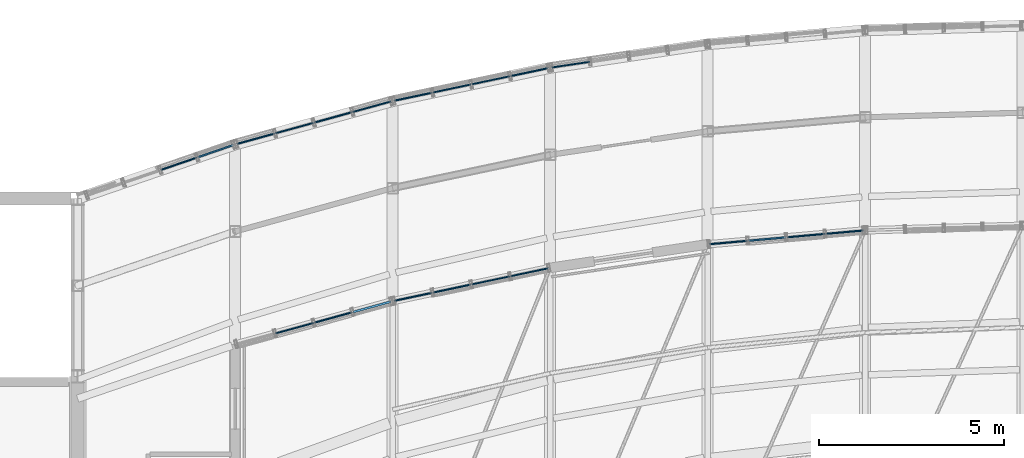
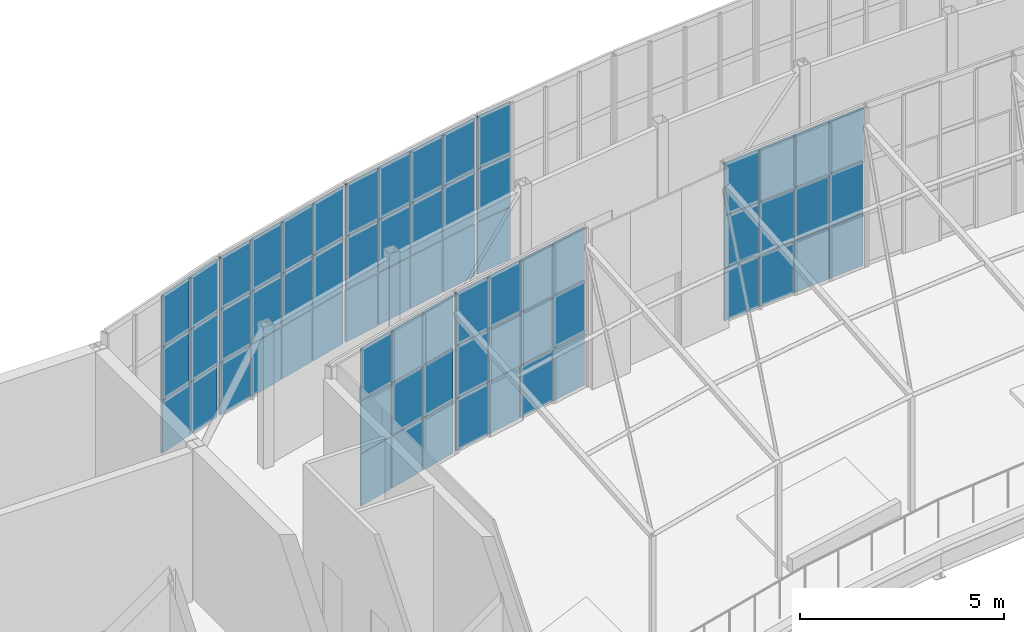
# One storey, part 26 of 35: 66 plates, 7 elements without a shape of their own.
"""IFC4 building model written with IfcOpenShell, lengths in metres."""

from ifc_helpers import new_model, si_unit, direction, frame, origin, origin_2d, place, context, subcontext, project, spatial, rectangle, extrude, material, layer, layer_set, type_object, element, aggregate, save


model = new_model("IFC4")

# Units and contexts
model_context = context("Model", 3, precision=1e-05, world=origin(), true_north=direction((0.0, 1.0)))
body_context = subcontext(model_context, "Body", "Model", "MODEL_VIEW")
ifc_project = project(units=[si_unit("LENGTHUNIT", "METRE"), si_unit("AREAUNIT", "SQUARE_METRE"), si_unit("VOLUMEUNIT", "CUBIC_METRE"), si_unit("PLANEANGLEUNIT", "RADIAN"), si_unit("MASSUNIT", "GRAM", prefix="KILO")], contexts=[model_context])

# Site, building, storey
site_placement = place(None, origin())
site = spatial("IfcSite", under=ifc_project, at=site_placement, CompositionType="ELEMENT")
building_placement = place(site_placement, origin())
building = spatial("IfcBuilding", under=site, at=building_placement, Name="Solvikara Media Centre", CompositionType="ELEMENT")
storey_placement = place(building_placement, frame((0.0, 0.0, 29.39990234375)))
storey = spatial("IfcBuildingStorey", under=building, at=storey_placement, Name="L06", CompositionType="ELEMENT", Elevation=29.39990234375)

# Curtain wall, plates
ifc_material_1 = material(Name="Anodised aluminium EN AW-6063", Category="aluminium")
curtain_wall_type = type_object("IfcCurtainWallType", Name="CW-13", PredefinedType="NOTDEFINED", material=ifc_material_1)
curtain_wall_1_placement = place(storey_placement, origin())
curtain_wall_1 = element("IfcCurtainWall", 1, at=curtain_wall_1_placement, inside=storey, type_object=curtain_wall_type, Name="CW-L06-NARC-00", PredefinedType="NOTDEFINED")
ifc_material_2 = material(Name="Laminated solar-control cyan vision glass", Category="glass")
ifc_layer_1 = layer(ifc_material_2, 0.035888671875)
ifc_layer_set_1 = layer_set([ifc_layer_1], Name="Laminated solar-control cyan vision glass")
plate_type_1 = type_object("IfcPlateType", Name="PN-04", PredefinedType="CURTAIN_PANEL", material=ifc_layer_set_1)
plate_1_placement = place(storey_placement, frame((79.22900390625, 37.737060546875, 1.62158203125), z_axis=(0.0, 0.0, 1.0), x_axis=(0.945711605144, 0.32500701515, 0.0)))
plate_1 = element("IfcPlate", 2, at=plate_1_placement, type_object=plate_type_1, Name="CW-L06-NARC-00-P0201", PredefinedType="CURTAIN_PANEL", context=body_context, shape_type="SweptSolid", body=[
    extrude(rectangle(XDim=1.01904296875, YDim=0.035888671875, at=origin_2d()), origin(), (0.0, 0.0, 1.0), 1.556884765625),
])
plate_2_placement = place(storey_placement, frame((79.22900390625, 37.737060546875, 3.20849609375), z_axis=(0.0, 0.0, 1.0), x_axis=(0.945711605144, 0.32500701515, 0.0)))
plate_2 = element("IfcPlate", 3, at=plate_2_placement, type_object=plate_type_1, Name="CW-L06-NARC-00-P0202", PredefinedType="CURTAIN_PANEL", context=body_context, shape_type="SweptSolid", body=[
    extrude(rectangle(XDim=1.01904296875, YDim=0.035888671875, at=origin_2d()), origin(), (0.0, 0.0, 1.0), 1.556884765625),
])
plate_3_placement = place(storey_placement, frame((80.220947265625, 38.077880859375, 0.03466796875), z_axis=(0.0, 0.0, 1.0), x_axis=(0.945711605144, 0.32500701515, 0.0)))
plate_3 = element("IfcPlate", 4, at=plate_3_placement, type_object=plate_type_1, Name="CW-L06-NARC-00-P0300", PredefinedType="CURTAIN_PANEL", context=body_context, shape_type="SweptSolid", body=[
    extrude(rectangle(XDim=1.01904296875, YDim=0.035888671875, at=origin_2d()), origin(), (0.0, 0.0, 1.0), 1.556884765625),
])

curtain_wall_2_placement = place(storey_placement, origin())
curtain_wall_2 = element("IfcCurtainWall", 5, at=curtain_wall_2_placement, inside=storey, type_object=curtain_wall_type, Name="CW-L06-NARC-01", PredefinedType="NOTDEFINED")
plate_4_placement = place(storey_placement, frame((81.306884765625, 38.4130859375, 1.62158203125), z_axis=(0.0, 0.0, 1.0), x_axis=(0.964030487854, 0.265791682504, 0.0)))
plate_4 = element("IfcPlate", 6, at=plate_4_placement, type_object=plate_type_1, Name="CW-L06-NARC-01-P0001", PredefinedType="CURTAIN_PANEL", context=body_context, shape_type="SweptSolid", body=[
    extrude(rectangle(XDim=1.054931640625, YDim=0.035888671875, at=origin_2d()), origin(), (0.0, 0.0, 1.0), 1.556884765625),
])
plate_5_placement = place(storey_placement, frame((81.306884765625, 38.4130859375, 3.20849609375), z_axis=(0.0, 0.0, 1.0), x_axis=(0.964030487854, 0.265791682504, 0.0)))
plate_5 = element("IfcPlate", 7, at=plate_5_placement, type_object=plate_type_1, Name="CW-L06-NARC-01-P0002", PredefinedType="CURTAIN_PANEL", context=body_context, shape_type="SweptSolid", body=[
    extrude(rectangle(XDim=1.054931640625, YDim=0.035888671875, at=origin_2d()), origin(), (0.0, 0.0, 1.0), 1.556884765625),
])
plate_6_placement = place(storey_placement, frame((82.35205078125, 38.700927734375, 0.03466796875), z_axis=(0.0, 0.0, 1.0), x_axis=(0.964030487854, 0.265791682504, 0.0)))
plate_6 = element("IfcPlate", 8, at=plate_6_placement, type_object=plate_type_1, Name="CW-L06-NARC-01-P0100", PredefinedType="CURTAIN_PANEL", context=body_context, shape_type="SweptSolid", body=[
    extrude(rectangle(XDim=1.054931640625, YDim=0.035888671875, at=origin_2d()), origin(), (0.0, 0.0, 1.0), 1.556884765625),
])
plate_7_placement = place(storey_placement, frame((82.35205078125, 38.700927734375, 1.62158203125), z_axis=(0.0, 0.0, 1.0), x_axis=(0.964030487854, 0.265791682504, 0.0)))
plate_7 = element("IfcPlate", 9, at=plate_7_placement, type_object=plate_type_1, Name="CW-L06-NARC-01-P0101", PredefinedType="CURTAIN_PANEL", context=body_context, shape_type="SweptSolid", body=[
    extrude(rectangle(XDim=1.054931640625, YDim=0.035888671875, at=origin_2d()), origin(), (0.0, 0.0, 1.0), 1.556884765625),
])
plate_8_placement = place(storey_placement, frame((82.35205078125, 38.700927734375, 3.20849609375), z_axis=(0.0, 0.0, 1.0), x_axis=(0.964030487854, 0.265791682504, 0.0)))
plate_8 = element("IfcPlate", 10, at=plate_8_placement, type_object=plate_type_1, Name="CW-L06-NARC-01-P0102", PredefinedType="CURTAIN_PANEL", context=body_context, shape_type="SweptSolid", body=[
    extrude(rectangle(XDim=1.054931640625, YDim=0.035888671875, at=origin_2d()), origin(), (0.0, 0.0, 1.0), 1.556884765625),
])
plate_9_placement = place(storey_placement, frame((83.39697265625, 38.989990234375, 0.03466796875), z_axis=(0.0, 0.0, 1.0), x_axis=(0.964030487854, 0.265791682504, 0.0)))
plate_9 = element("IfcPlate", 11, at=plate_9_placement, type_object=plate_type_1, Name="CW-L06-NARC-01-P0200", PredefinedType="CURTAIN_PANEL", context=body_context, shape_type="SweptSolid", body=[
    extrude(rectangle(XDim=1.054931640625, YDim=0.035888671875, at=origin_2d()), origin(), (0.0, 0.0, 1.0), 1.556884765625),
])
plate_10_placement = place(storey_placement, frame((83.39697265625, 38.989990234375, 1.62158203125), z_axis=(0.0, 0.0, 1.0), x_axis=(0.964030487854, 0.265791682504, 0.0)))
plate_10 = element("IfcPlate", 12, at=plate_10_placement, type_object=plate_type_1, Name="CW-L06-NARC-01-P0201", PredefinedType="CURTAIN_PANEL", context=body_context, shape_type="SweptSolid", body=[
    extrude(rectangle(XDim=1.054931640625, YDim=0.035888671875, at=origin_2d()), origin(), (0.0, 0.0, 1.0), 1.556884765625),
])
plate_11_placement = place(storey_placement, frame((84.443115234375, 39.278076171875, 0.03466796875), z_axis=(0.0, 0.0, 1.0), x_axis=(0.964030487854, 0.265791682504, 0.0)))
plate_11 = element("IfcPlate", 13, at=plate_11_placement, type_object=plate_type_1, Name="CW-L06-NARC-01-P0300", PredefinedType="CURTAIN_PANEL", context=body_context, shape_type="SweptSolid", body=[
    extrude(rectangle(XDim=1.054931640625, YDim=0.035888671875, at=origin_2d()), origin(), (0.0, 0.0, 1.0), 1.556884765625),
])
plate_12_placement = place(storey_placement, frame((84.443115234375, 39.278076171875, 1.62158203125), z_axis=(0.0, 0.0, 1.0), x_axis=(0.964030487854, 0.265791682504, 0.0)))
plate_12 = element("IfcPlate", 14, at=plate_12_placement, type_object=plate_type_1, Name="CW-L06-NARC-01-P0301", PredefinedType="CURTAIN_PANEL", context=body_context, shape_type="SweptSolid", body=[
    extrude(rectangle(XDim=1.054931640625, YDim=0.035888671875, at=origin_2d()), origin(), (0.0, 0.0, 1.0), 1.556884765625),
])
plate_13_placement = place(storey_placement, frame((84.443115234375, 39.278076171875, 3.20849609375), z_axis=(0.0, 0.0, 1.0), x_axis=(0.964030487854, 0.265791682504, 0.0)))
plate_13 = element("IfcPlate", 15, at=plate_13_placement, type_object=plate_type_1, Name="CW-L06-NARC-01-P0302", PredefinedType="CURTAIN_PANEL", context=body_context, shape_type="SweptSolid", body=[
    extrude(rectangle(XDim=1.054931640625, YDim=0.035888671875, at=origin_2d()), origin(), (0.0, 0.0, 1.0), 1.556884765625),
])

curtain_wall_3_placement = place(storey_placement, origin())
curtain_wall_3 = element("IfcCurtainWall", 16, at=curtain_wall_3_placement, inside=storey, type_object=curtain_wall_type, Name="CW-L06-NARC-02", PredefinedType="NOTDEFINED")
plate_14_placement = place(storey_placement, frame((85.555908203125, 39.548095703125, 1.62158203125), z_axis=(0.0, 0.0, 1.0), x_axis=(0.97837923005, 0.206818959981, 0.0)))
plate_14 = element("IfcPlate", 17, at=plate_14_placement, type_object=plate_type_1, Name="CW-L06-NARC-02-P0001", PredefinedType="CURTAIN_PANEL", context=body_context, shape_type="SweptSolid", body=[
    extrude(rectangle(XDim=1.0390625, YDim=0.035888671875, at=origin_2d()), origin(), (0.0, 0.0, 1.0), 1.556884765625),
])
plate_15_placement = place(storey_placement, frame((85.555908203125, 39.548095703125, 3.20849609375), z_axis=(0.0, 0.0, 1.0), x_axis=(0.97837923005, 0.206818959981, 0.0)))
plate_15 = element("IfcPlate", 18, at=plate_15_placement, type_object=plate_type_1, Name="CW-L06-NARC-02-P0002", PredefinedType="CURTAIN_PANEL", context=body_context, shape_type="SweptSolid", body=[
    extrude(rectangle(XDim=1.0390625, YDim=0.035888671875, at=origin_2d()), origin(), (0.0, 0.0, 1.0), 1.556884765625),
])
plate_16_placement = place(storey_placement, frame((86.60205078125, 39.77001953125, 0.03466796875), z_axis=(0.0, 0.0, 1.0), x_axis=(0.97837923005, 0.206818959981, 0.0)))
plate_16 = element("IfcPlate", 19, at=plate_16_placement, type_object=plate_type_1, Name="CW-L06-NARC-02-P0100", PredefinedType="CURTAIN_PANEL", context=body_context, shape_type="SweptSolid", body=[
    extrude(rectangle(XDim=1.0390625, YDim=0.035888671875, at=origin_2d()), origin(), (0.0, 0.0, 1.0), 1.556884765625),
])
plate_17_placement = place(storey_placement, frame((86.60205078125, 39.77001953125, 1.62158203125), z_axis=(0.0, 0.0, 1.0), x_axis=(0.97837923005, 0.206818959981, 0.0)))
plate_17 = element("IfcPlate", 20, at=plate_17_placement, type_object=plate_type_1, Name="CW-L06-NARC-02-P0101", PredefinedType="CURTAIN_PANEL", context=body_context, shape_type="SweptSolid", body=[
    extrude(rectangle(XDim=1.0390625, YDim=0.035888671875, at=origin_2d()), origin(), (0.0, 0.0, 1.0), 1.556884765625),
])
plate_18_placement = place(storey_placement, frame((86.60205078125, 39.77001953125, 3.20849609375), z_axis=(0.0, 0.0, 1.0), x_axis=(0.97837923005, 0.206818959981, 0.0)))
plate_18 = element("IfcPlate", 21, at=plate_18_placement, type_object=plate_type_1, Name="CW-L06-NARC-02-P0102", PredefinedType="CURTAIN_PANEL", context=body_context, shape_type="SweptSolid", body=[
    extrude(rectangle(XDim=1.0390625, YDim=0.035888671875, at=origin_2d()), origin(), (0.0, 0.0, 1.0), 1.556884765625),
])
plate_19_placement = place(storey_placement, frame((87.64794921875, 39.990966796875, 0.03466796875), z_axis=(0.0, 0.0, 1.0), x_axis=(0.97837923005, 0.206818959981, 0.0)))
plate_19 = element("IfcPlate", 22, at=plate_19_placement, type_object=plate_type_1, Name="CW-L06-NARC-02-P0200", PredefinedType="CURTAIN_PANEL", context=body_context, shape_type="SweptSolid", body=[
    extrude(rectangle(XDim=1.0390625, YDim=0.035888671875, at=origin_2d()), origin(), (0.0, 0.0, 1.0), 1.556884765625),
])
plate_20_placement = place(storey_placement, frame((87.64794921875, 39.990966796875, 1.62158203125), z_axis=(0.0, 0.0, 1.0), x_axis=(0.97837923005, 0.206818959981, 0.0)))
plate_20 = element("IfcPlate", 23, at=plate_20_placement, type_object=plate_type_1, Name="CW-L06-NARC-02-P0201", PredefinedType="CURTAIN_PANEL", context=body_context, shape_type="SweptSolid", body=[
    extrude(rectangle(XDim=1.0390625, YDim=0.035888671875, at=origin_2d()), origin(), (0.0, 0.0, 1.0), 1.556884765625),
])
plate_21_placement = place(storey_placement, frame((87.64794921875, 39.990966796875, 3.20849609375), z_axis=(0.0, 0.0, 1.0), x_axis=(0.97837923005, 0.206818959981, 0.0)))
plate_21 = element("IfcPlate", 24, at=plate_21_placement, type_object=plate_type_1, Name="CW-L06-NARC-02-P0202", PredefinedType="CURTAIN_PANEL", context=body_context, shape_type="SweptSolid", body=[
    extrude(rectangle(XDim=1.0390625, YDim=0.035888671875, at=origin_2d()), origin(), (0.0, 0.0, 1.0), 1.556884765625),
])
plate_22_placement = place(storey_placement, frame((88.693115234375, 40.2109375, 1.62158203125), z_axis=(0.0, 0.0, 1.0), x_axis=(0.97837923005, 0.206818959981, 0.0)))
plate_22 = element("IfcPlate", 25, at=plate_22_placement, type_object=plate_type_1, Name="CW-L06-NARC-02-P0301", PredefinedType="CURTAIN_PANEL", context=body_context, shape_type="SweptSolid", body=[
    extrude(rectangle(XDim=1.0390625, YDim=0.035888671875, at=origin_2d()), origin(), (0.0, 0.0, 1.0), 1.556884765625),
])
plate_23_placement = place(storey_placement, frame((88.693115234375, 40.2109375, 3.20849609375), z_axis=(0.0, 0.0, 1.0), x_axis=(0.97837923005, 0.206818959981, 0.0)))
plate_23 = element("IfcPlate", 26, at=plate_23_placement, type_object=plate_type_1, Name="CW-L06-NARC-02-P0302", PredefinedType="CURTAIN_PANEL", context=body_context, shape_type="SweptSolid", body=[
    extrude(rectangle(XDim=1.0390625, YDim=0.035888671875, at=origin_2d()), origin(), (0.0, 0.0, 1.0), 1.556884765625),
])

curtain_wall_4_placement = place(storey_placement, origin())
curtain_wall_4 = element("IfcCurtainWall", 27, at=curtain_wall_4_placement, inside=storey, type_object=curtain_wall_type, Name="CW-L06-NARC-03", PredefinedType="NOTDEFINED")
plate_24_placement = place(storey_placement, frame((89.806884765625, 40.412109375, 0.03466796875), z_axis=(0.0, 0.0, 1.0), x_axis=(0.989005541908, 0.147878457102, 0.0)))
plate_24 = element("IfcPlate", 28, at=plate_24_placement, type_object=plate_type_1, Name="CW-L06-NARC-03-P0000", PredefinedType="CURTAIN_PANEL", context=body_context, shape_type="SweptSolid", body=[
    extrude(rectangle(XDim=1.027099609375, YDim=0.035888671875, at=origin_2d()), origin(), (0.0, 0.0, 1.0), 1.556884765625),
])
plate_25_placement = place(storey_placement, frame((89.806884765625, 40.412109375, 1.62158203125), z_axis=(0.0, 0.0, 1.0), x_axis=(0.989005541908, 0.147878457102, 0.0)))
plate_25 = element("IfcPlate", 29, at=plate_25_placement, type_object=plate_type_1, Name="CW-L06-NARC-03-P0001", PredefinedType="CURTAIN_PANEL", context=body_context, shape_type="SweptSolid", body=[
    extrude(rectangle(XDim=1.027099609375, YDim=0.035888671875, at=origin_2d()), origin(), (0.0, 0.0, 1.0), 1.556884765625),
])
plate_26_placement = place(storey_placement, frame((89.806884765625, 40.412109375, 3.20849609375), z_axis=(0.0, 0.0, 1.0), x_axis=(0.989005541908, 0.147878457102, 0.0)))
plate_26 = element("IfcPlate", 30, at=plate_26_placement, type_object=plate_type_1, Name="CW-L06-NARC-03-P0002", PredefinedType="CURTAIN_PANEL", context=body_context, shape_type="SweptSolid", body=[
    extrude(rectangle(XDim=1.027099609375, YDim=0.035888671875, at=origin_2d()), origin(), (0.0, 0.0, 1.0), 1.556884765625),
])
aggregate(curtain_wall_4, [plate_24, plate_25, plate_26])

curtain_wall_5_placement = place(storey_placement, origin())
curtain_wall_5 = element("IfcCurtainWall", 31, at=curtain_wall_5_placement, inside=storey, type_object=curtain_wall_type, Name="CW-L06-GALS-01", PredefinedType="NOTDEFINED")
plate_27_placement = place(storey_placement, frame((82.35205078125, 33.301025390625, 0.03466796875), z_axis=(0.0, 0.0, 1.0), x_axis=(0.964030487854, 0.265791682504, 0.0)))
plate_27 = element("IfcPlate", 32, at=plate_27_placement, type_object=plate_type_1, Name="CW-L06-GALS-01-P0100", PredefinedType="CURTAIN_PANEL", context=body_context, shape_type="SweptSolid", body=[
    extrude(rectangle(XDim=1.054931640625, YDim=0.035888671875, at=origin_2d()), origin(), (0.0, 0.0, 1.0), 1.556884765625),
])
plate_28_placement = place(storey_placement, frame((82.35205078125, 33.301025390625, 1.62158203125), z_axis=(0.0, 0.0, 1.0), x_axis=(0.964030487854, 0.265791682504, 0.0)))
plate_28 = element("IfcPlate", 33, at=plate_28_placement, type_object=plate_type_1, Name="CW-L06-GALS-01-P0101", PredefinedType="CURTAIN_PANEL", context=body_context, shape_type="SweptSolid", body=[
    extrude(rectangle(XDim=1.054931640625, YDim=0.035888671875, at=origin_2d()), origin(), (0.0, 0.0, 1.0), 1.556884765625),
])
plate_29_placement = place(storey_placement, frame((82.35205078125, 33.301025390625, 3.20849609375), z_axis=(0.0, 0.0, 1.0), x_axis=(0.964030487854, 0.265791682504, 0.0)))
plate_29 = element("IfcPlate", 34, at=plate_29_placement, type_object=plate_type_1, Name="CW-L06-GALS-01-P0102", PredefinedType="CURTAIN_PANEL", context=body_context, shape_type="SweptSolid", body=[
    extrude(rectangle(XDim=1.054931640625, YDim=0.035888671875, at=origin_2d()), origin(), (0.0, 0.0, 1.0), 1.556884765625),
])
plate_30_placement = place(storey_placement, frame((83.39697265625, 33.590087890625, 0.03466796875), z_axis=(0.0, 0.0, 1.0), x_axis=(0.964030487854, 0.265791682504, 0.0)))
plate_30 = element("IfcPlate", 35, at=plate_30_placement, type_object=plate_type_1, Name="CW-L06-GALS-01-P0200", PredefinedType="CURTAIN_PANEL", context=body_context, shape_type="SweptSolid", body=[
    extrude(rectangle(XDim=1.054931640625, YDim=0.035888671875, at=origin_2d()), origin(), (0.0, 0.0, 1.0), 1.556884765625),
])
plate_31_placement = place(storey_placement, frame((83.39697265625, 33.590087890625, 1.62158203125), z_axis=(0.0, 0.0, 1.0), x_axis=(0.964030487854, 0.265791682504, 0.0)))
plate_31 = element("IfcPlate", 36, at=plate_31_placement, type_object=plate_type_1, Name="CW-L06-GALS-01-P0201", PredefinedType="CURTAIN_PANEL", context=body_context, shape_type="SweptSolid", body=[
    extrude(rectangle(XDim=1.054931640625, YDim=0.035888671875, at=origin_2d()), origin(), (0.0, 0.0, 1.0), 1.556884765625),
])

curtain_wall_6_placement = place(storey_placement, origin())
curtain_wall_6 = element("IfcCurtainWall", 37, at=curtain_wall_6_placement, inside=storey, type_object=curtain_wall_type, Name="CW-L06-GALS-02", PredefinedType="NOTDEFINED")
plate_32_placement = place(storey_placement, frame((85.555908203125, 34.14794921875, 0.03466796875), z_axis=(0.0, 0.0, 1.0), x_axis=(0.97837923005, 0.206818959981, 0.0)))
plate_32 = element("IfcPlate", 38, at=plate_32_placement, type_object=plate_type_1, Name="CW-L06-GALS-02-P0000", PredefinedType="CURTAIN_PANEL", context=body_context, shape_type="SweptSolid", body=[
    extrude(rectangle(XDim=1.0390625, YDim=0.035888671875, at=origin_2d()), origin(), (0.0, 0.0, 1.0), 1.556884765625),
])
plate_33_placement = place(storey_placement, frame((85.555908203125, 34.14794921875, 1.62158203125), z_axis=(0.0, 0.0, 1.0), x_axis=(0.97837923005, 0.206818959981, 0.0)))
plate_33 = element("IfcPlate", 39, at=plate_33_placement, type_object=plate_type_1, Name="CW-L06-GALS-02-P0001", PredefinedType="CURTAIN_PANEL", context=body_context, shape_type="SweptSolid", body=[
    extrude(rectangle(XDim=1.0390625, YDim=0.035888671875, at=origin_2d()), origin(), (0.0, 0.0, 1.0), 1.556884765625),
])
plate_34_placement = place(storey_placement, frame((86.60205078125, 34.3701171875, 0.03466796875), z_axis=(0.0, 0.0, 1.0), x_axis=(0.97837923005, 0.206818959981, 0.0)))
plate_34 = element("IfcPlate", 40, at=plate_34_placement, type_object=plate_type_1, Name="CW-L06-GALS-02-P0100", PredefinedType="CURTAIN_PANEL", context=body_context, shape_type="SweptSolid", body=[
    extrude(rectangle(XDim=1.0390625, YDim=0.035888671875, at=origin_2d()), origin(), (0.0, 0.0, 1.0), 1.556884765625),
])
plate_35_placement = place(storey_placement, frame((86.60205078125, 34.3701171875, 3.20849609375), z_axis=(0.0, 0.0, 1.0), x_axis=(0.97837923005, 0.206818959981, 0.0)))
plate_35 = element("IfcPlate", 41, at=plate_35_placement, type_object=plate_type_1, Name="CW-L06-GALS-02-P0102", PredefinedType="CURTAIN_PANEL", context=body_context, shape_type="SweptSolid", body=[
    extrude(rectangle(XDim=1.0390625, YDim=0.035888671875, at=origin_2d()), origin(), (0.0, 0.0, 1.0), 1.556884765625),
])
plate_36_placement = place(storey_placement, frame((87.64794921875, 34.591064453125, 0.03466796875), z_axis=(0.0, 0.0, 1.0), x_axis=(0.97837923005, 0.206818959981, 0.0)))
plate_36 = element("IfcPlate", 42, at=plate_36_placement, type_object=plate_type_1, Name="CW-L06-GALS-02-P0200", PredefinedType="CURTAIN_PANEL", context=body_context, shape_type="SweptSolid", body=[
    extrude(rectangle(XDim=1.0390625, YDim=0.035888671875, at=origin_2d()), origin(), (0.0, 0.0, 1.0), 1.556884765625),
])
plate_37_placement = place(storey_placement, frame((87.64794921875, 34.591064453125, 1.62158203125), z_axis=(0.0, 0.0, 1.0), x_axis=(0.97837923005, 0.206818959981, 0.0)))
plate_37 = element("IfcPlate", 43, at=plate_37_placement, type_object=plate_type_1, Name="CW-L06-GALS-02-P0201", PredefinedType="CURTAIN_PANEL", context=body_context, shape_type="SweptSolid", body=[
    extrude(rectangle(XDim=1.0390625, YDim=0.035888671875, at=origin_2d()), origin(), (0.0, 0.0, 1.0), 1.556884765625),
])
plate_38_placement = place(storey_placement, frame((87.64794921875, 34.591064453125, 3.20849609375), z_axis=(0.0, 0.0, 1.0), x_axis=(0.97837923005, 0.206818959981, 0.0)))
plate_38 = element("IfcPlate", 44, at=plate_38_placement, type_object=plate_type_1, Name="CW-L06-GALS-02-P0202", PredefinedType="CURTAIN_PANEL", context=body_context, shape_type="SweptSolid", body=[
    extrude(rectangle(XDim=1.0390625, YDim=0.035888671875, at=origin_2d()), origin(), (0.0, 0.0, 1.0), 1.556884765625),
])
plate_39_placement = place(storey_placement, frame((88.693115234375, 34.81103515625, 0.03466796875), z_axis=(0.0, 0.0, 1.0), x_axis=(0.97837923005, 0.206818959981, 0.0)))
plate_39 = element("IfcPlate", 45, at=plate_39_placement, type_object=plate_type_1, Name="CW-L06-GALS-02-P0300", PredefinedType="CURTAIN_PANEL", context=body_context, shape_type="SweptSolid", body=[
    extrude(rectangle(XDim=1.0390625, YDim=0.035888671875, at=origin_2d()), origin(), (0.0, 0.0, 1.0), 1.556884765625),
])
plate_40_placement = place(storey_placement, frame((88.693115234375, 34.81103515625, 1.62158203125), z_axis=(0.0, 0.0, 1.0), x_axis=(0.97837923005, 0.206818959981, 0.0)))
plate_40 = element("IfcPlate", 46, at=plate_40_placement, type_object=plate_type_1, Name="CW-L06-GALS-02-P0301", PredefinedType="CURTAIN_PANEL", context=body_context, shape_type="SweptSolid", body=[
    extrude(rectangle(XDim=1.0390625, YDim=0.035888671875, at=origin_2d()), origin(), (0.0, 0.0, 1.0), 1.556884765625),
])
plate_41_placement = place(storey_placement, frame((88.693115234375, 34.81103515625, 3.20849609375), z_axis=(0.0, 0.0, 1.0), x_axis=(0.97837923005, 0.206818959981, 0.0)))
plate_41 = element("IfcPlate", 47, at=plate_41_placement, type_object=plate_type_1, Name="CW-L06-GALS-02-P0302", PredefinedType="CURTAIN_PANEL", context=body_context, shape_type="SweptSolid", body=[
    extrude(rectangle(XDim=1.0390625, YDim=0.035888671875, at=origin_2d()), origin(), (0.0, 0.0, 1.0), 1.556884765625),
])

curtain_wall_7_placement = place(storey_placement, origin())
curtain_wall_7 = element("IfcCurtainWall", 48, at=curtain_wall_7_placement, inside=storey, type_object=curtain_wall_type, Name="CW-L06-GALS-04", PredefinedType="NOTDEFINED")
plate_42_placement = place(storey_placement, frame((94.05810546875, 35.613037109375, 0.03466796875), z_axis=(0.0, 0.0, 1.0), x_axis=(0.99608438842, 0.088407528781, 0.0)))
plate_42 = element("IfcPlate", 49, at=plate_42_placement, type_object=plate_type_1, Name="CW-L06-GALS-04-P0000", PredefinedType="CURTAIN_PANEL", context=body_context, shape_type="SweptSolid", body=[
    extrude(rectangle(XDim=1.01904296875, YDim=0.035888671875, at=origin_2d()), origin(), (0.0, 0.0, 1.0), 1.556884765625),
])
plate_43_placement = place(storey_placement, frame((94.05810546875, 35.613037109375, 1.62158203125), z_axis=(0.0, 0.0, 1.0), x_axis=(0.99608438842, 0.088407528781, 0.0)))
plate_43 = element("IfcPlate", 50, at=plate_43_placement, type_object=plate_type_1, Name="CW-L06-GALS-04-P0001", PredefinedType="CURTAIN_PANEL", context=body_context, shape_type="SweptSolid", body=[
    extrude(rectangle(XDim=1.01904296875, YDim=0.035888671875, at=origin_2d()), origin(), (0.0, 0.0, 1.0), 1.556884765625),
])
plate_44_placement = place(storey_placement, frame((95.10302734375, 35.7060546875, 0.03466796875), z_axis=(0.0, 0.0, 1.0), x_axis=(0.99608438842, 0.088407528781, 0.0)))
plate_44 = element("IfcPlate", 51, at=plate_44_placement, type_object=plate_type_1, Name="CW-L06-GALS-04-P0100", PredefinedType="CURTAIN_PANEL", context=body_context, shape_type="SweptSolid", body=[
    extrude(rectangle(XDim=1.01904296875, YDim=0.035888671875, at=origin_2d()), origin(), (0.0, 0.0, 1.0), 1.556884765625),
])
plate_45_placement = place(storey_placement, frame((96.14794921875, 35.799072265625, 0.03466796875), z_axis=(0.0, 0.0, 1.0), x_axis=(0.99608438842, 0.088407528781, 0.0)))
plate_45 = element("IfcPlate", 52, at=plate_45_placement, type_object=plate_type_1, Name="CW-L06-GALS-04-P0200", PredefinedType="CURTAIN_PANEL", context=body_context, shape_type="SweptSolid", body=[
    extrude(rectangle(XDim=1.01904296875, YDim=0.035888671875, at=origin_2d()), origin(), (0.0, 0.0, 1.0), 1.556884765625),
])
plate_46_placement = place(storey_placement, frame((96.14794921875, 35.799072265625, 1.62158203125), z_axis=(0.0, 0.0, 1.0), x_axis=(0.99608438842, 0.088407528781, 0.0)))
plate_46 = element("IfcPlate", 53, at=plate_46_placement, type_object=plate_type_1, Name="CW-L06-GALS-04-P0201", PredefinedType="CURTAIN_PANEL", context=body_context, shape_type="SweptSolid", body=[
    extrude(rectangle(XDim=1.01904296875, YDim=0.035888671875, at=origin_2d()), origin(), (0.0, 0.0, 1.0), 1.556884765625),
])
plate_47_placement = place(storey_placement, frame((97.193115234375, 35.89208984375, 0.03466796875), z_axis=(0.0, 0.0, 1.0), x_axis=(0.99608438842, 0.088407528781, 0.0)))
plate_47 = element("IfcPlate", 54, at=plate_47_placement, type_object=plate_type_1, Name="CW-L06-GALS-04-P0300", PredefinedType="CURTAIN_PANEL", context=body_context, shape_type="SweptSolid", body=[
    extrude(rectangle(XDim=1.01904296875, YDim=0.035888671875, at=origin_2d()), origin(), (0.0, 0.0, 1.0), 1.556884765625),
])
plate_48_placement = place(storey_placement, frame((97.193115234375, 35.89208984375, 1.62158203125), z_axis=(0.0, 0.0, 1.0), x_axis=(0.99608438842, 0.088407528781, 0.0)))
plate_48 = element("IfcPlate", 55, at=plate_48_placement, type_object=plate_type_1, Name="CW-L06-GALS-04-P0301", PredefinedType="CURTAIN_PANEL", context=body_context, shape_type="SweptSolid", body=[
    extrude(rectangle(XDim=1.01904296875, YDim=0.035888671875, at=origin_2d()), origin(), (0.0, 0.0, 1.0), 1.556884765625),
])

# Plate
ifc_material_3 = material(Name="Insulated silver-pearl glass spandrel panel", Category="glass")
ifc_layer_2 = layer(ifc_material_3, 0.054931640625)
ifc_layer_set_2 = layer_set([ifc_layer_2], Name="Insulated silver-pearl glass spandrel panel")
plate_type_2 = type_object("IfcPlateType", Name="PN-05", PredefinedType="CURTAIN_PANEL", material=ifc_layer_set_2)
plate_49_placement = place(storey_placement, frame((79.22900390625, 37.737060546875, 0.03466796875), z_axis=(0.0, 0.0, 1.0), x_axis=(0.945711605144, 0.32500701515, 0.0)))
plate_49 = element("IfcPlate", 56, at=plate_49_placement, type_object=plate_type_2, Name="CW-L06-NARC-00-P0200", PredefinedType="CURTAIN_PANEL", context=body_context, shape_type="SweptSolid", body=[
    extrude(rectangle(XDim=1.01904296875, YDim=0.054931640625, at=origin_2d()), origin(), (0.0, 0.0, 1.0), 1.556884765625),
])

plate_50_placement = place(storey_placement, frame((80.220947265625, 38.077880859375, 1.62158203125), z_axis=(0.0, 0.0, 1.0), x_axis=(0.945711605144, 0.32500701515, 0.0)))
plate_50 = element("IfcPlate", 57, at=plate_50_placement, type_object=plate_type_2, Name="CW-L06-NARC-00-P0301", PredefinedType="CURTAIN_PANEL", context=body_context, shape_type="SweptSolid", body=[
    extrude(rectangle(XDim=1.01904296875, YDim=0.054931640625, at=origin_2d()), origin(), (0.0, 0.0, 1.0), 1.556884765625),
])

plate_51_placement = place(storey_placement, frame((80.220947265625, 38.077880859375, 3.20849609375), z_axis=(0.0, 0.0, 1.0), x_axis=(0.945711605144, 0.32500701515, 0.0)))
plate_51 = element("IfcPlate", 58, at=plate_51_placement, type_object=plate_type_2, Name="CW-L06-NARC-00-P0302", PredefinedType="CURTAIN_PANEL", context=body_context, shape_type="SweptSolid", body=[
    extrude(rectangle(XDim=1.01904296875, YDim=0.054931640625, at=origin_2d()), origin(), (0.0, 0.0, 1.0), 1.556884765625),
])

aggregate(curtain_wall_1, [plate_49, plate_1, plate_2, plate_3, plate_50, plate_51])

plate_52_placement = place(storey_placement, frame((81.306884765625, 38.4130859375, 0.03466796875), z_axis=(0.0, 0.0, 1.0), x_axis=(0.964030487854, 0.265791682504, 0.0)))
plate_52 = element("IfcPlate", 59, at=plate_52_placement, type_object=plate_type_2, Name="CW-L06-NARC-01-P0000", PredefinedType="CURTAIN_PANEL", context=body_context, shape_type="SweptSolid", body=[
    extrude(rectangle(XDim=1.054931640625, YDim=0.054931640625, at=origin_2d()), origin(), (0.0, 0.0, 1.0), 1.556884765625),
])

plate_53_placement = place(storey_placement, frame((83.39697265625, 38.989990234375, 3.20849609375), z_axis=(0.0, 0.0, 1.0), x_axis=(0.964030487854, 0.265791682504, 0.0)))
plate_53 = element("IfcPlate", 60, at=plate_53_placement, type_object=plate_type_2, Name="CW-L06-NARC-01-P0202", PredefinedType="CURTAIN_PANEL", context=body_context, shape_type="SweptSolid", body=[
    extrude(rectangle(XDim=1.054931640625, YDim=0.054931640625, at=origin_2d()), origin(), (0.0, 0.0, 1.0), 1.556884765625),
])

aggregate(curtain_wall_2, [plate_52, plate_4, plate_5, plate_6, plate_7, plate_8, plate_9, plate_10, plate_53, plate_11, plate_12, plate_13])

plate_54_placement = place(storey_placement, frame((85.555908203125, 39.548095703125, 0.03466796875), z_axis=(0.0, 0.0, 1.0), x_axis=(0.97837923005, 0.206818959981, 0.0)))
plate_54 = element("IfcPlate", 61, at=plate_54_placement, type_object=plate_type_2, Name="CW-L06-NARC-02-P0000", PredefinedType="CURTAIN_PANEL", context=body_context, shape_type="SweptSolid", body=[
    extrude(rectangle(XDim=1.0390625, YDim=0.054931640625, at=origin_2d()), origin(), (0.0, 0.0, 1.0), 1.556884765625),
])

plate_55_placement = place(storey_placement, frame((88.693115234375, 40.2109375, 0.03466796875), z_axis=(0.0, 0.0, 1.0), x_axis=(0.97837923005, 0.206818959981, 0.0)))
plate_55 = element("IfcPlate", 62, at=plate_55_placement, type_object=plate_type_2, Name="CW-L06-NARC-02-P0300", PredefinedType="CURTAIN_PANEL", context=body_context, shape_type="SweptSolid", body=[
    extrude(rectangle(XDim=1.0390625, YDim=0.054931640625, at=origin_2d()), origin(), (0.0, 0.0, 1.0), 1.556884765625),
])

aggregate(curtain_wall_3, [plate_54, plate_14, plate_15, plate_16, plate_17, plate_18, plate_19, plate_20, plate_21, plate_55, plate_22, plate_23])

plate_56_placement = place(storey_placement, frame((83.39697265625, 33.590087890625, 3.20849609375), z_axis=(0.0, 0.0, 1.0), x_axis=(0.964030487854, 0.265791682504, 0.0)))
plate_56 = element("IfcPlate", 63, at=plate_56_placement, type_object=plate_type_2, Name="CW-L06-GALS-01-P0202", PredefinedType="CURTAIN_PANEL", context=body_context, shape_type="SweptSolid", body=[
    extrude(rectangle(XDim=1.054931640625, YDim=0.054931640625, at=origin_2d()), origin(), (0.0, 0.0, 1.0), 1.556884765625),
])

plate_57_placement = place(storey_placement, frame((84.443115234375, 33.8779296875, 0.03466796875), z_axis=(0.0, 0.0, 1.0), x_axis=(0.964030487854, 0.265791682504, 0.0)))
plate_57 = element("IfcPlate", 64, at=plate_57_placement, type_object=plate_type_2, Name="CW-L06-GALS-01-P0300", PredefinedType="CURTAIN_PANEL", context=body_context, shape_type="SweptSolid", body=[
    extrude(rectangle(XDim=1.054931640625, YDim=0.054931640625, at=origin_2d()), origin(), (0.0, 0.0, 1.0), 1.556884765625),
])

plate_58_placement = place(storey_placement, frame((84.443115234375, 33.8779296875, 1.62158203125), z_axis=(0.0, 0.0, 1.0), x_axis=(0.964030487854, 0.265791682504, 0.0)))
plate_58 = element("IfcPlate", 65, at=plate_58_placement, type_object=plate_type_2, Name="CW-L06-GALS-01-P0301", PredefinedType="CURTAIN_PANEL", context=body_context, shape_type="SweptSolid", body=[
    extrude(rectangle(XDim=1.054931640625, YDim=0.054931640625, at=origin_2d()), origin(), (0.0, 0.0, 1.0), 1.556884765625),
])

plate_59_placement = place(storey_placement, frame((84.443115234375, 33.8779296875, 3.20849609375), z_axis=(0.0, 0.0, 1.0), x_axis=(0.964030487854, 0.265791682504, 0.0)))
plate_59 = element("IfcPlate", 66, at=plate_59_placement, type_object=plate_type_2, Name="CW-L06-GALS-01-P0302", PredefinedType="CURTAIN_PANEL", context=body_context, shape_type="SweptSolid", body=[
    extrude(rectangle(XDim=1.054931640625, YDim=0.054931640625, at=origin_2d()), origin(), (0.0, 0.0, 1.0), 1.556884765625),
])

aggregate(curtain_wall_5, [plate_27, plate_28, plate_29, plate_30, plate_31, plate_56, plate_57, plate_58, plate_59])

plate_60_placement = place(storey_placement, frame((85.555908203125, 34.14794921875, 3.20849609375), z_axis=(0.0, 0.0, 1.0), x_axis=(0.97837923005, 0.206818959981, 0.0)))
plate_60 = element("IfcPlate", 67, at=plate_60_placement, type_object=plate_type_2, Name="CW-L06-GALS-02-P0002", PredefinedType="CURTAIN_PANEL", context=body_context, shape_type="SweptSolid", body=[
    extrude(rectangle(XDim=1.0390625, YDim=0.054931640625, at=origin_2d()), origin(), (0.0, 0.0, 1.0), 1.556884765625),
])

plate_61_placement = place(storey_placement, frame((86.60205078125, 34.3701171875, 1.62158203125), z_axis=(0.0, 0.0, 1.0), x_axis=(0.97837923005, 0.206818959981, 0.0)))
plate_61 = element("IfcPlate", 68, at=plate_61_placement, type_object=plate_type_2, Name="CW-L06-GALS-02-P0101", PredefinedType="CURTAIN_PANEL", context=body_context, shape_type="SweptSolid", body=[
    extrude(rectangle(XDim=1.0390625, YDim=0.054931640625, at=origin_2d()), origin(), (0.0, 0.0, 1.0), 1.556884765625),
])

aggregate(curtain_wall_6, [plate_32, plate_33, plate_60, plate_34, plate_61, plate_35, plate_36, plate_37, plate_38, plate_39, plate_40, plate_41])

plate_62_placement = place(storey_placement, frame((94.05810546875, 35.613037109375, 3.20849609375), z_axis=(0.0, 0.0, 1.0), x_axis=(0.99608438842, 0.088407528781, 0.0)))
plate_62 = element("IfcPlate", 69, at=plate_62_placement, type_object=plate_type_2, Name="CW-L06-GALS-04-P0002", PredefinedType="CURTAIN_PANEL", context=body_context, shape_type="SweptSolid", body=[
    extrude(rectangle(XDim=1.01904296875, YDim=0.054931640625, at=origin_2d()), origin(), (0.0, 0.0, 1.0), 1.556884765625),
])

plate_63_placement = place(storey_placement, frame((95.10302734375, 35.7060546875, 1.62158203125), z_axis=(0.0, 0.0, 1.0), x_axis=(0.99608438842, 0.088407528781, 0.0)))
plate_63 = element("IfcPlate", 70, at=plate_63_placement, type_object=plate_type_2, Name="CW-L06-GALS-04-P0101", PredefinedType="CURTAIN_PANEL", context=body_context, shape_type="SweptSolid", body=[
    extrude(rectangle(XDim=1.01904296875, YDim=0.054931640625, at=origin_2d()), origin(), (0.0, 0.0, 1.0), 1.556884765625),
])

plate_64_placement = place(storey_placement, frame((95.10302734375, 35.7060546875, 3.20849609375), z_axis=(0.0, 0.0, 1.0), x_axis=(0.99608438842, 0.088407528781, 0.0)))
plate_64 = element("IfcPlate", 71, at=plate_64_placement, type_object=plate_type_2, Name="CW-L06-GALS-04-P0102", PredefinedType="CURTAIN_PANEL", context=body_context, shape_type="SweptSolid", body=[
    extrude(rectangle(XDim=1.01904296875, YDim=0.054931640625, at=origin_2d()), origin(), (0.0, 0.0, 1.0), 1.556884765625),
])

plate_65_placement = place(storey_placement, frame((96.14794921875, 35.799072265625, 3.20849609375), z_axis=(0.0, 0.0, 1.0), x_axis=(0.99608438842, 0.088407528781, 0.0)))
plate_65 = element("IfcPlate", 72, at=plate_65_placement, type_object=plate_type_2, Name="CW-L06-GALS-04-P0202", PredefinedType="CURTAIN_PANEL", context=body_context, shape_type="SweptSolid", body=[
    extrude(rectangle(XDim=1.01904296875, YDim=0.054931640625, at=origin_2d()), origin(), (0.0, 0.0, 1.0), 1.556884765625),
])

plate_66_placement = place(storey_placement, frame((97.193115234375, 35.89208984375, 3.20849609375), z_axis=(0.0, 0.0, 1.0), x_axis=(0.99608438842, 0.088407528781, 0.0)))
plate_66 = element("IfcPlate", 73, at=plate_66_placement, type_object=plate_type_2, Name="CW-L06-GALS-04-P0302", PredefinedType="CURTAIN_PANEL", context=body_context, shape_type="SweptSolid", body=[
    extrude(rectangle(XDim=1.01904296875, YDim=0.054931640625, at=origin_2d()), origin(), (0.0, 0.0, 1.0), 1.556884765625),
])

aggregate(curtain_wall_7, [plate_42, plate_43, plate_62, plate_44, plate_63, plate_64, plate_45, plate_46, plate_65, plate_47, plate_48, plate_66])

save(model, "model.ifc")
